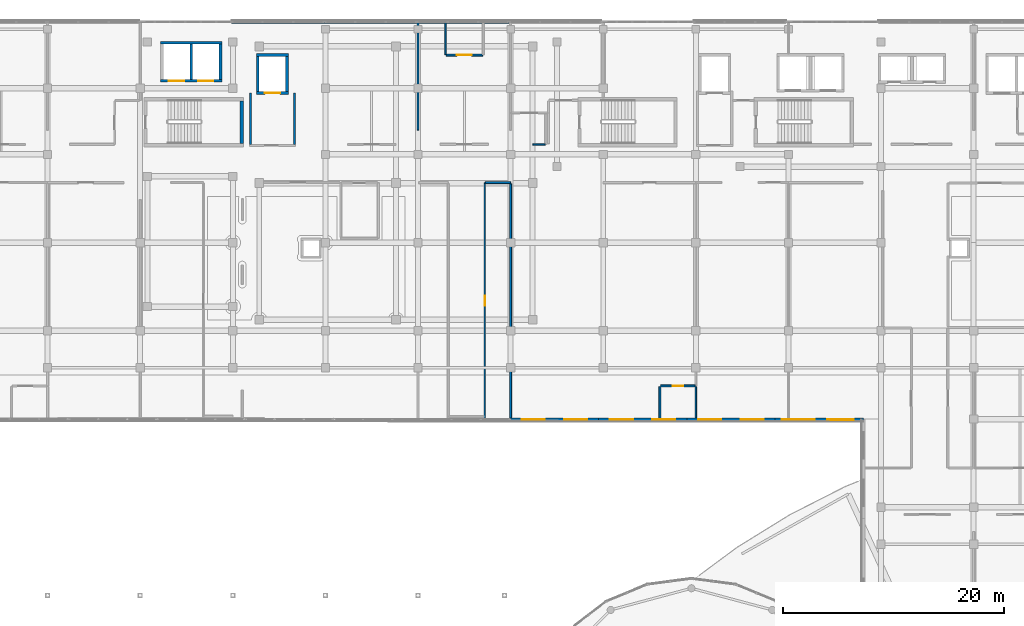
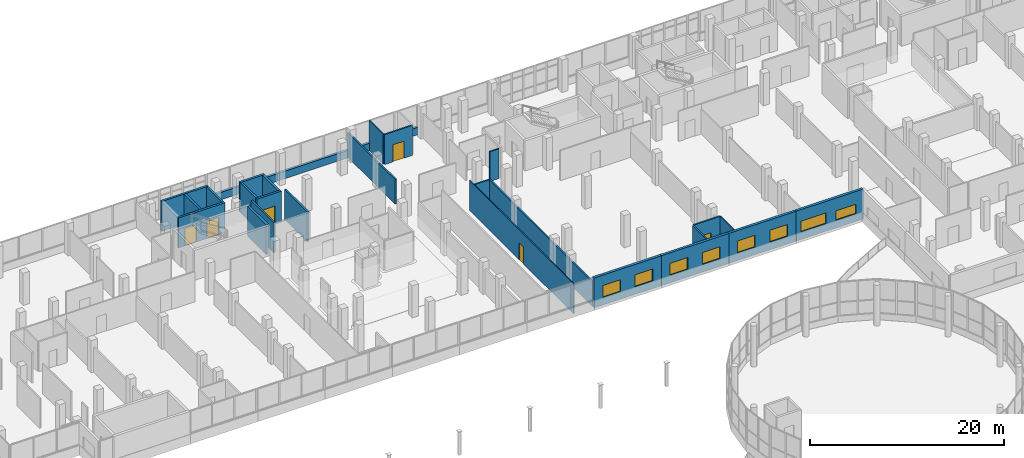
# One storey, part 86 of 101: 28 walls, 8 windows, 6 doors, 14 openings.
"""IFC4 building model written with IfcOpenShell, lengths in metres."""

import ifcopenshell
import ifcopenshell.guid

model = None  # the IFC model being written
_history = None  # IfcOwnerHistory: only IFC2X3 demands one
_inside = {}  # id of a spatial element -> (the spatial element, [elements in it])
_under = {}  # id of a project, library or spatial element -> (it, [spatial elements below it])
_declared = {}  # id of a project -> (the project, [libraries it declares])
_typed = {}  # id of a type object -> (the type object, [elements of that type])
_made_of = {}  # id of a material, layer set ... -> (it, [elements and type objects made of it])


def new_model(schema):
    """Start an empty IFC model of exactly this schema.

    Asked for "IFC4X3", IfcOpenShell would pick the latest addendum, in which some entities
    have other attributes; the version numbers below select the first issue.
    IFC2X3 requires an IfcOwnerHistory on every rooted entity: one is made here for all.
    """
    global model, _history
    if schema == "IFC4X3":
        model = ifcopenshell.file(schema_version=(4, 3, 0, 0))
    else:
        model = ifcopenshell.file(schema=schema)
    _inside.clear()
    _under.clear()
    _declared.clear()
    _typed.clear()
    _made_of.clear()
    _history = None
    if model.schema == "IFC2X3":
        org = make("IfcOrganization", Name="unknown")
        user = make(
            "IfcPersonAndOrganization",
            ThePerson=make("IfcPerson", FamilyName="unknown"),
            TheOrganization=org,
        )
        app = make(
            "IfcApplication",
            ApplicationDeveloper=org,
            Version="unknown",
            ApplicationFullName="unknown",
            ApplicationIdentifier="unknown",
        )
        _history = make(
            "IfcOwnerHistory",
            OwningUser=user,
            OwningApplication=app,
            ChangeAction="ADDED",
            CreationDate=0,
        )
    return model


def make(cls, **values):
    """One entity of the class cls with the attributes given. An attribute that is None is left unset."""
    return model.create_entity(
        cls, **{name: value for name, value in values.items() if value is not None}
    )


def rooted(cls, **values):
    """An entity with a GlobalId (a new one), such as an element, a storey or a relation."""
    return make(cls, GlobalId=ifcopenshell.guid.new(), OwnerHistory=_history, **values)


def si_unit(unit_type, name, prefix=None):
    """IfcSIUnit, for example si_unit("LENGTHUNIT", "METRE", prefix="MILLI")."""
    return make("IfcSIUnit", UnitType=unit_type, Prefix=prefix, Name=name)


def assignment(units):
    """IfcUnitAssignment: the units of a project."""
    return None if units is None else make("IfcUnitAssignment", Units=units)


def point(xyz):
    """IfcCartesianPoint."""
    return None if xyz is None else make("IfcCartesianPoint", Coordinates=xyz)


def direction(xyz):
    """IfcDirection."""
    return None if xyz is None else make("IfcDirection", DirectionRatios=xyz)


def frame(location, z_axis=None, x_axis=None):
    """IfcAxis2Placement3D, a coordinate frame: its origin and axes. An axis left out is left unset."""
    return make(
        "IfcAxis2Placement3D",
        Location=point(location),
        Axis=direction(z_axis),
        RefDirection=direction(x_axis),
    )


def frame_2d(location, x_axis=None):
    """IfcAxis2Placement2D, a coordinate frame in the plane: its origin and x axis."""
    return make(
        "IfcAxis2Placement2D", Location=point(location), RefDirection=direction(x_axis)
    )


def origin():
    """The frame at (0, 0, 0) with its axes left unset."""
    return frame((0.0, 0.0, 0.0))


def place(relative_to, where):
    """IfcLocalPlacement: puts the frame where relative to a parent placement (None: the world)."""
    return make(
        "IfcLocalPlacement", PlacementRelTo=relative_to, RelativePlacement=where
    )


def context(
    kind, dimensions, precision=None, world=None, true_north=None, identifier=None
):
    """IfcGeometricRepresentationContext, for example the 3D "Model" context."""
    return make(
        "IfcGeometricRepresentationContext",
        ContextIdentifier=identifier,
        ContextType=kind,
        CoordinateSpaceDimension=dimensions,
        Precision=precision,
        WorldCoordinateSystem=world,
        TrueNorth=true_north,
    )


def subcontext(parent, identifier, kind, view, scale=None):
    """IfcGeometricRepresentationSubContext, for example "Body" below "Model"."""
    return make(
        "IfcGeometricRepresentationSubContext",
        ContextIdentifier=identifier,
        ContextType=kind,
        ParentContext=parent,
        TargetScale=scale,
        TargetView=view,
    )


def project(units=None, contexts=None):
    """IfcProject with its units and contexts."""
    return rooted(
        "IfcProject",
        Name="project",
        RepresentationContexts=contexts,
        UnitsInContext=assignment(units),
    )


def spatial(cls, under=None, at=None, **own):
    """A site, building, storey or space (cls), placed at a placement, below another one or the project."""
    s = rooted(cls, ObjectPlacement=at, **own)
    if under is not None:
        _under.setdefault(under.id(), (under, []))[1].append(s)
    return s


def profile(cls, at=None, kind="AREA", **sizes):
    """A parametric profile (cls). Its sizes go by their IFC names, for example OverallWidth=200.0."""
    return make(cls, ProfileType=kind, Position=at, **sizes)


def rectangle(**sizes):
    """IfcRectangleProfileDef."""
    return profile("IfcRectangleProfileDef", **sizes)


def extrude(swept, where, along, depth):
    """IfcExtrudedAreaSolid: the profile swept, set in the frame where, extruded along a direction by depth."""
    return make(
        "IfcExtrudedAreaSolid",
        SweptArea=swept,
        Position=where,
        ExtrudedDirection=direction(along),
        Depth=depth,
    )


def shape(context_of_items, identifier, shape_type, items):
    """IfcShapeRepresentation: the items that make up one representation, for example the "Body"."""
    return make(
        "IfcShapeRepresentation",
        ContextOfItems=context_of_items,
        RepresentationIdentifier=identifier,
        RepresentationType=shape_type,
        Items=items,
    )


def material(Name=None, Category=None):
    """IfcMaterial."""
    return make("IfcMaterial", Name=Name, Category=Category)


def layer(
    of_material, thickness, ventilated=None, Name=None, Category=None, Priority=None
):
    """IfcMaterialLayer: one layer of a wall or slab, of a material (None: an air gap)."""
    return make(
        "IfcMaterialLayer",
        Material=of_material,
        LayerThickness=thickness,
        IsVentilated=ventilated,
        Name=Name,
        Category=Category,
        Priority=Priority,
    )


def layer_set(layers, Name=None):
    """IfcMaterialLayerSet."""
    return make("IfcMaterialLayerSet", MaterialLayers=layers, LayerSetName=Name)


def made_of(thing, what):
    """Note that an element or type object is made of a material, layer set ...; save() writes the relation."""
    if what is not None:
        _made_of.setdefault(what.id(), (what, []))[1].append(thing)
    return thing


def type_object(cls, material=None, **own):
    """A type object (cls), such as IfcWallType, which elements share."""
    return made_of(rooted(cls, **own), material)


def element(
    cls,
    number,
    at=None,
    inside=None,
    cuts=None,
    type_object=None,
    material=None,
    context=None,
    identifier="Body",
    shape_type=None,
    held_by="IfcProductDefinitionShape",
    body=None,
    shapes=None,
    **own,
):
    """One element of the class cls, such as IfcWall. Its Tag is "e" and its number.

    at: its placement. inside: the storey or other place that contains it. cuts: it is an
    opening in that element (IfcRelVoidsElement). A single representation is given by context,
    identifier, shape_type and body (its items); several are given by shapes. held_by: the class
    of the entity that holds the representations. save() writes the other relations.
    """
    e = rooted(cls, Tag="e%d" % number, ObjectPlacement=at, **own)
    if body is not None:
        shapes = [shape(context, identifier, shape_type, body)]
    if shapes is not None:
        e.Representation = make(held_by, Representations=shapes)
    if inside is not None:
        _inside.setdefault(inside.id(), (inside, []))[1].append(e)
    if cuts is not None:
        rooted(
            "IfcRelVoidsElement", RelatingBuildingElement=cuts, RelatedOpeningElement=e
        )
    if type_object is not None:
        _typed.setdefault(type_object.id(), (type_object, []))[1].append(e)
    return made_of(e, material)


def fill(opening, filler):
    """IfcRelFillsElement: the door or window that sits in an opening."""
    return rooted(
        "IfcRelFillsElement",
        RelatingOpeningElement=opening,
        RelatedBuildingElement=filler,
    )


def aggregate(whole, parts):
    """IfcRelAggregates: a whole, such as a stair, and the parts it consists of."""
    return rooted("IfcRelAggregates", RelatingObject=whole, RelatedObjects=parts)


def save(model, path):
    """Write the relations noted so far, then the file.

    IfcRelAggregates (storeys below a building ...), IfcRelContainedInSpatialStructure (elements
    in a storey), IfcRelDefinesByType, IfcRelAssociatesMaterial and IfcRelDeclares: one each for
    every whole, place, type object, material and project.
    """
    for whole, parts in _under.values():
        aggregate(whole, parts)
    for where, things in _inside.values():
        rooted(
            "IfcRelContainedInSpatialStructure",
            RelatedElements=things,
            RelatingStructure=where,
        )
    for kind, things in _typed.values():
        rooted("IfcRelDefinesByType", RelatedObjects=things, RelatingType=kind)
    for what, things in _made_of.values():
        rooted("IfcRelAssociatesMaterial", RelatedObjects=things, RelatingMaterial=what)
    for by, libraries in _declared.values():
        rooted("IfcRelDeclares", RelatingContext=by, RelatedDefinitions=libraries)
    model.write(path)


model = new_model("IFC4")

# Units and contexts
model_context = context("Model", 3, precision=1e-05, world=origin(), true_north=direction((0.0, 1.0)))
body_context = subcontext(model_context, "Body", "Model", "MODEL_VIEW")
ifc_project = project(units=[si_unit("LENGTHUNIT", "METRE"), si_unit("AREAUNIT", "SQUARE_METRE"), si_unit("VOLUMEUNIT", "CUBIC_METRE"), si_unit("PLANEANGLEUNIT", "RADIAN"), si_unit("MASSUNIT", "GRAM", prefix="KILO")], contexts=[model_context])

# Site, building, storey
site_placement = place(None, origin())
site = spatial("IfcSite", under=ifc_project, at=site_placement, CompositionType="ELEMENT")
building_placement = place(site_placement, origin())
building = spatial("IfcBuilding", under=site, at=building_placement, Name="Selatvlak General Hospital", CompositionType="ELEMENT")
storey_placement = place(building_placement, frame((0.0, 0.0, 19.199951171875)))
storey = spatial("IfcBuildingStorey", under=building, at=storey_placement, Name="L04", CompositionType="ELEMENT", Elevation=19.199951171875)

# Wall, openings, windows
ifc_material_1 = material(Name="Precast concrete C40/50 - white fair-faced", Category="concrete")
ifc_layer_1 = layer(ifc_material_1, 0.300048828125, Name="Precast concrete C40/50 - white fair-faced", Category="concrete")
ifc_layer_set_1 = layer_set([ifc_layer_1], Name="Precast concrete C40/50 - white fair-faced")
wall_type_1 = type_object("IfcWallType", Name="WALL-EW-01", PredefinedType="SOLIDWALL", material=ifc_layer_set_1)
wall_1_placement = place(storey_placement, frame((113.60009765625, 83.93994140625, 0.0), z_axis=(0.0, 0.0, 1.0), x_axis=(-0.999999795056, 0.000640224252, 0.0)))
wall_1 = element("IfcWall", 1, at=wall_1_placement, inside=storey, type_object=wall_type_1, Name="L04 exterior wall 0463", PredefinedType="SOLIDWALL", context=body_context, shape_type="SweptSolid", body=[
    extrude(rectangle(XDim=8.008056640625, YDim=0.300048828125, at=frame_2d((4.00390625, 0.0))), origin(), (0.0, 0.0, 1.0), 3.77001953125),
])
opening_1_placement = place(wall_1_placement, frame((0.882080078125, 0.0, 0.9599609375)))
opening_1 = element("IfcOpeningElement", 2, at=opening_1_placement, cuts=wall_1, Name="Opening WN-29", PredefinedType="OPENING", context=body_context, shape_type="SweptSolid", body=[
    extrude(rectangle(XDim=2.39990234375, YDim=1.199951171875, at=frame_2d((1.199951171875, 0.60009765625))), frame((0.0, 0.159912109375, 0.0), z_axis=(0.0, -1.0, 0.0), x_axis=(1.0, 0.0, 0.0)), (0.0, 0.0, 1.0), 0.320068359375),
])
opening_2_placement = place(wall_1_placement, frame((4.426025390625, 0.0, 0.9599609375)))
opening_2 = element("IfcOpeningElement", 3, at=opening_2_placement, cuts=wall_1, Name="Opening WN-30", PredefinedType="OPENING", context=body_context, shape_type="SweptSolid", body=[
    extrude(rectangle(XDim=3.0, YDim=1.35009765625, at=frame_2d((1.5, 0.675048828125))), frame((0.0, 0.159912109375, 0.0), z_axis=(0.0, -1.0, 0.0), x_axis=(1.0, 0.0, 0.0)), (0.0, 0.0, 1.0), 0.320068359375),
])
ifc_material_2 = material(Name="Thermally broken aluminium Low-E window", Category="aluminium")
window_type_1 = type_object("IfcWindowType", Name="WIN-WN-29", PartitioningType="SINGLE_PANEL", PredefinedType="WINDOW", material=ifc_material_2)
window_1_placement = place(opening_1_placement, origin())
window_1 = element("IfcWindow", 4, at=window_1_placement, inside=storey, type_object=window_type_1, Name="L04 Bauhaus ribbon window 0088", OverallHeight=1.199951171875, OverallWidth=2.39990234375, PartitioningType="SINGLE_PANEL", PredefinedType="WINDOW", context=body_context, shape_type="SweptSolid", body=[
    extrude(rectangle(XDim=2.39990234375, YDim=1.199951171875, at=frame_2d((1.199951171875, 0.60009765625))), frame((0.0, 0.030029296875, 0.0), z_axis=(0.0, -1.0, 0.0), x_axis=(1.0, 0.0, 0.0)), (0.0, 0.0, 1.0), 0.06005859375),
])
fill(opening_1, window_1)
window_type_2 = type_object("IfcWindowType", Name="WIN-WN-30", PartitioningType="SINGLE_PANEL", PredefinedType="WINDOW", material=ifc_material_2)
window_2_placement = place(opening_2_placement, origin())
window_2 = element("IfcWindow", 5, at=window_2_placement, inside=storey, type_object=window_type_2, Name="L04 Bauhaus ribbon window 0089", OverallHeight=1.35009765625, OverallWidth=3.0, PartitioningType="SINGLE_PANEL", PredefinedType="WINDOW", context=body_context, shape_type="SweptSolid", body=[
    extrude(rectangle(XDim=3.0, YDim=1.35009765625, at=frame_2d((1.5, 0.675048828125))), frame((0.0, 0.030029296875, 0.0), z_axis=(0.0, -1.0, 0.0), x_axis=(1.0, 0.0, 0.0)), (0.0, 0.0, 1.0), 0.06005859375),
])
fill(opening_2, window_2)

wall_2_placement = place(storey_placement, frame((105.592041015625, 83.945068359375, 0.0), z_axis=(0.0, 0.0, 1.0), x_axis=(-0.999999732319, 0.000731684814, 0.0)))
wall_2 = element("IfcWall", 6, at=wall_2_placement, inside=storey, type_object=wall_type_1, Name="L04 exterior wall 0464", PredefinedType="SOLIDWALL", context=body_context, shape_type="SweptSolid", body=[
    extrude(rectangle(XDim=8.008056640625, YDim=0.300048828125, at=frame_2d((4.00390625, 0.0))), origin(), (0.0, 0.0, 1.0), 3.77001953125),
])
opening_3_placement = place(wall_2_placement, frame((1.031982421875, 0.0, 0.9599609375)))
opening_3 = element("IfcOpeningElement", 7, at=opening_3_placement, cuts=wall_2, Name="Opening WN-06", PredefinedType="OPENING", context=body_context, shape_type="SweptSolid", body=[
    extrude(rectangle(XDim=2.10009765625, YDim=1.5, at=frame_2d((1.050048828125, 0.75))), frame((0.0, 0.159912109375, 0.0), z_axis=(0.0, -1.0, 0.0), x_axis=(1.0, 0.0, 0.0)), (0.0, 0.0, 1.0), 0.320068359375),
])
opening_4_placement = place(wall_2_placement, frame((4.8759765625, 0.0, 0.9599609375)))
opening_4 = element("IfcOpeningElement", 8, at=opening_4_placement, cuts=wall_2, Name="Opening WN-06", PredefinedType="OPENING", context=body_context, shape_type="SweptSolid", body=[
    extrude(rectangle(XDim=2.10009765625, YDim=1.5, at=frame_2d((1.050048828125, 0.75))), frame((0.0, 0.159912109375, 0.0), z_axis=(0.0, -1.0, 0.0), x_axis=(1.0, 0.0, 0.0)), (0.0, 0.0, 1.0), 0.320068359375),
])
window_type_3 = type_object("IfcWindowType", Name="WIN-WN-06", PartitioningType="SINGLE_PANEL", PredefinedType="WINDOW", material=ifc_material_2)
window_3_placement = place(opening_3_placement, origin())
window_3 = element("IfcWindow", 9, at=window_3_placement, inside=storey, type_object=window_type_3, Name="L04 Bauhaus ribbon window 0090", OverallHeight=1.5, OverallWidth=2.10009765625, PartitioningType="SINGLE_PANEL", PredefinedType="WINDOW", context=body_context, shape_type="SweptSolid", body=[
    extrude(rectangle(XDim=2.10009765625, YDim=1.5, at=frame_2d((1.050048828125, 0.75))), frame((0.0, 0.030029296875, 0.0), z_axis=(0.0, -1.0, 0.0), x_axis=(1.0, 0.0, 0.0)), (0.0, 0.0, 1.0), 0.06005859375),
])
fill(opening_3, window_3)
window_4_placement = place(opening_4_placement, origin())
window_4 = element("IfcWindow", 10, at=window_4_placement, inside=storey, type_object=window_type_3, Name="L04 Bauhaus ribbon window 0091", OverallHeight=1.5, OverallWidth=2.10009765625, PartitioningType="SINGLE_PANEL", PredefinedType="WINDOW", context=body_context, shape_type="SweptSolid", body=[
    extrude(rectangle(XDim=2.10009765625, YDim=1.5, at=frame_2d((1.050048828125, 0.75))), frame((0.0, 0.030029296875, 0.0), z_axis=(0.0, -1.0, 0.0), x_axis=(1.0, 0.0, 0.0)), (0.0, 0.0, 1.0), 0.06005859375),
])
fill(opening_4, window_4)

wall_3_placement = place(storey_placement, frame((97.583984375, 83.950927734375, 0.0), z_axis=(0.0, 0.0, 1.0), x_axis=(-0.999999795056, 0.000640224252, 0.0)))
wall_3 = element("IfcWall", 11, at=wall_3_placement, inside=storey, type_object=wall_type_1, Name="L04 exterior wall 0465", PredefinedType="SOLIDWALL", context=body_context, shape_type="SweptSolid", body=[
    extrude(rectangle(XDim=8.008056640625, YDim=0.300048828125, at=frame_2d((4.00390625, 0.0))), origin(), (0.0, 0.0, 1.0), 3.77001953125),
])
opening_5_placement = place(wall_3_placement, frame((1.031982421875, 0.0, 0.9599609375)))
opening_5 = element("IfcOpeningElement", 12, at=opening_5_placement, cuts=wall_3, Name="Opening WN-06", PredefinedType="OPENING", context=body_context, shape_type="SweptSolid", body=[
    extrude(rectangle(XDim=2.10009765625, YDim=1.5, at=frame_2d((1.050048828125, 0.75))), frame((0.0, 0.159912109375, 0.0), z_axis=(0.0, -1.0, 0.0), x_axis=(1.0, 0.0, 0.0)), (0.0, 0.0, 1.0), 0.320068359375),
])
opening_6_placement = place(wall_3_placement, frame((4.8759765625, 0.0, 0.9599609375)))
opening_6 = element("IfcOpeningElement", 13, at=opening_6_placement, cuts=wall_3, Name="Opening WN-06", PredefinedType="OPENING", context=body_context, shape_type="SweptSolid", body=[
    extrude(rectangle(XDim=2.10009765625, YDim=1.5, at=frame_2d((1.050048828125, 0.75))), frame((0.0, 0.159912109375, 0.0), z_axis=(0.0, -1.0, 0.0), x_axis=(1.0, 0.0, 0.0)), (0.0, 0.0, 1.0), 0.320068359375),
])
window_5_placement = place(opening_5_placement, origin())
window_5 = element("IfcWindow", 14, at=window_5_placement, inside=storey, type_object=window_type_3, Name="L04 Bauhaus ribbon window 0092", OverallHeight=1.5, OverallWidth=2.10009765625, PartitioningType="SINGLE_PANEL", PredefinedType="WINDOW", context=body_context, shape_type="SweptSolid", body=[
    extrude(rectangle(XDim=2.10009765625, YDim=1.5, at=frame_2d((1.050048828125, 0.75))), frame((0.0, 0.030029296875, 0.0), z_axis=(0.0, -1.0, 0.0), x_axis=(1.0, 0.0, 0.0)), (0.0, 0.0, 1.0), 0.06005859375),
])
fill(opening_5, window_5)
window_6_placement = place(opening_6_placement, origin())
window_6 = element("IfcWindow", 15, at=window_6_placement, inside=storey, type_object=window_type_3, Name="L04 Bauhaus ribbon window 0093", OverallHeight=1.5, OverallWidth=2.10009765625, PartitioningType="SINGLE_PANEL", PredefinedType="WINDOW", context=body_context, shape_type="SweptSolid", body=[
    extrude(rectangle(XDim=2.10009765625, YDim=1.5, at=frame_2d((1.050048828125, 0.75))), frame((0.0, 0.030029296875, 0.0), z_axis=(0.0, -1.0, 0.0), x_axis=(1.0, 0.0, 0.0)), (0.0, 0.0, 1.0), 0.06005859375),
])
fill(opening_6, window_6)

wall_4_placement = place(storey_placement, frame((89.575927734375, 83.9560546875, 0.0), z_axis=(0.0, 0.0, 1.0), x_axis=(-0.999999814099, 0.000609755984, 0.0)))
wall_4 = element("IfcWall", 16, at=wall_4_placement, inside=storey, type_object=wall_type_1, Name="L04 exterior wall 0466", PredefinedType="SOLIDWALL", context=body_context, shape_type="SweptSolid", body=[
    extrude(rectangle(XDim=8.0078125, YDim=0.300048828125, at=frame_2d((4.00390625, 0.0))), origin(), (0.0, 0.0, 1.0), 3.77001953125),
])
opening_7_placement = place(wall_4_placement, frame((1.031982421875, 0.0, 0.9599609375)))
opening_7 = element("IfcOpeningElement", 17, at=opening_7_placement, cuts=wall_4, Name="Opening WN-06", PredefinedType="OPENING", context=body_context, shape_type="SweptSolid", body=[
    extrude(rectangle(XDim=2.10009765625, YDim=1.5, at=frame_2d((1.050048828125, 0.75))), frame((0.0, 0.159912109375, 0.0), z_axis=(0.0, -1.0, 0.0), x_axis=(1.0, 0.0, 0.0)), (0.0, 0.0, 1.0), 0.320068359375),
])
opening_8_placement = place(wall_4_placement, frame((4.8759765625, 0.0, 0.9599609375)))
opening_8 = element("IfcOpeningElement", 18, at=opening_8_placement, cuts=wall_4, Name="Opening WN-06", PredefinedType="OPENING", context=body_context, shape_type="SweptSolid", body=[
    extrude(rectangle(XDim=2.10009765625, YDim=1.5, at=frame_2d((1.050048828125, 0.75))), frame((0.0, 0.159912109375, 0.0), z_axis=(0.0, -1.0, 0.0), x_axis=(1.0, 0.0, 0.0)), (0.0, 0.0, 1.0), 0.320068359375),
])
window_7_placement = place(opening_7_placement, origin())
window_7 = element("IfcWindow", 19, at=window_7_placement, inside=storey, type_object=window_type_3, Name="L04 Bauhaus ribbon window 0094", OverallHeight=1.5, OverallWidth=2.10009765625, PartitioningType="SINGLE_PANEL", PredefinedType="WINDOW", context=body_context, shape_type="SweptSolid", body=[
    extrude(rectangle(XDim=2.10009765625, YDim=1.5, at=frame_2d((1.050048828125, 0.75))), frame((0.0, 0.030029296875, 0.0), z_axis=(0.0, -1.0, 0.0), x_axis=(1.0, 0.0, 0.0)), (0.0, 0.0, 1.0), 0.06005859375),
])
fill(opening_7, window_7)
window_8_placement = place(opening_8_placement, origin())
window_8 = element("IfcWindow", 20, at=window_8_placement, inside=storey, type_object=window_type_3, Name="L04 Bauhaus ribbon window 0095", OverallHeight=1.5, OverallWidth=2.10009765625, PartitioningType="SINGLE_PANEL", PredefinedType="WINDOW", context=body_context, shape_type="SweptSolid", body=[
    extrude(rectangle(XDim=2.10009765625, YDim=1.5, at=frame_2d((1.050048828125, 0.75))), frame((0.0, 0.030029296875, 0.0), z_axis=(0.0, -1.0, 0.0), x_axis=(1.0, 0.0, 0.0)), (0.0, 0.0, 1.0), 0.06005859375),
])
fill(opening_8, window_8)

# Walls
ifc_material_3 = material(Name="Precast concrete C40/50 - white Bauhaus spandrel", Category="concrete")
ifc_layer_2 = layer(ifc_material_3, 0.280029296875, Name="Precast concrete C40/50 - white Bauhaus spandrel", Category="concrete")
ifc_layer_set_2 = layer_set([ifc_layer_2], Name="Precast concrete C40/50 - white Bauhaus spandrel")
wall_type_2 = type_object("IfcWallType", Name="WALL-EW-02", PredefinedType="SOLIDWALL", material=ifc_layer_set_2)
wall_5_placement = place(storey_placement, frame((56.302001953125, 119.9990234375, 0.0), z_axis=(0.0, 0.0, 1.0), x_axis=(1.0, 0.0, 0.0)))
element("IfcWall", 21, at=wall_5_placement, inside=storey, type_object=wall_type_2, Name="L04 Bauhaus spandrel sill wall 0434", PredefinedType="SOLIDWALL", context=body_context, shape_type="SweptSolid", body=[
    extrude(rectangle(XDim=8.3759765625, YDim=0.280029296875, at=frame_2d((4.18798828125, 0.0))), origin(), (0.0, 0.0, 1.0), 0.93994140625),
])
wall_6_placement = place(storey_placement, frame((64.681884765625, 119.9990234375, 0.0), z_axis=(0.0, 0.0, 1.0), x_axis=(1.0, 0.0, 0.0)))
element("IfcWall", 22, at=wall_6_placement, inside=storey, type_object=wall_type_2, Name="L04 Bauhaus spandrel sill wall 0435", PredefinedType="SOLIDWALL", context=body_context, shape_type="SweptSolid", body=[
    extrude(rectangle(XDim=8.376220703125, YDim=0.280029296875, at=frame_2d((4.18798828125, 0.0))), origin(), (0.0, 0.0, 1.0), 0.93994140625),
])
wall_7_placement = place(storey_placement, frame((73.06201171875, 119.9990234375, 0.0), z_axis=(0.0, 0.0, 1.0), x_axis=(1.0, 0.0, 0.0)))
element("IfcWall", 23, at=wall_7_placement, inside=storey, type_object=wall_type_2, Name="L04 Bauhaus spandrel sill wall 0436", PredefinedType="SOLIDWALL", context=body_context, shape_type="SweptSolid", body=[
    extrude(rectangle(XDim=8.3759765625, YDim=0.280029296875, at=frame_2d((4.18798828125, 0.0))), origin(), (0.0, 0.0, 1.0), 0.93994140625),
])
ifc_material_4 = material(Name="Concrete C40/50", Category="concrete")
ifc_layer_3 = layer(ifc_material_4, 0.199951171875, Name="Concrete C40/50", Category="concrete")
ifc_layer_set_3 = layer_set([ifc_layer_3], Name="Concrete C40/50")
wall_type_3 = type_object("IfcWallType", Name="WALL-IW-02", PredefinedType="SOLIDWALL", material=ifc_layer_set_3)
for number, where, z_axis, x_axis, name in (
    (24, (62.0, 108.89990234375, 0.0), (0.0, 0.0, 1.0), (0.0, 1.0, 0.0), "Firefighting lobby C1 wall L04 E"),
    (25, (58.0, 113.550048828125, 0.0), (0.0, 0.0, 1.0), (0.0, -1.0, 0.0), "Firefighting lobby C1 wall L04 W"),
):
    element("IfcWall", number, at=place(storey_placement, frame(where, z_axis=z_axis, x_axis=x_axis)), inside=storey, type_object=wall_type_3, Name=name, PredefinedType="SOLIDWALL", context=body_context, shape_type="SweptSolid", body=[
        extrude(rectangle(XDim=4.650146484375, YDim=0.199951171875, at=frame_2d((2.3251953125, 0.0))), origin(), (0.0, 0.0, 1.0), 3.77001953125),
    ])
ifc_material_5 = material(Name="Acoustic gypsum stud partition")
ifc_layer_4 = layer(ifc_material_5, 0.179931640625, Name="Acoustic gypsum stud partition")
ifc_layer_set_4 = layer_set([ifc_layer_4], Name="Acoustic gypsum stud partition")
wall_type_4 = type_object("IfcWallType", Name="WALL-PT-01", PredefinedType="PARTITIONING", material=ifc_layer_set_4)
wall_8_placement = place(storey_placement, frame((79.31591796875, 105.43994140625, 0.0), z_axis=(0.0, 0.0, 1.0), x_axis=(1.0, 0.0, 0.0)))
element("IfcWall", 26, at=wall_8_placement, inside=storey, type_object=wall_type_4, Name="L04 clinical partition PT-L04-1725", PredefinedType="PARTITIONING", context=body_context, shape_type="SweptSolid", body=[
    extrude(rectangle(XDim=2.2841796875, YDim=0.179931640625, at=frame_2d((1.14208984375, 0.0))), origin(), (0.0, 0.0, 1.0), 3.070068359375),
])

# Wall, opening, door
wall_9_placement = place(storey_placement, frame((98.3369140625, 87.0, 0.0), z_axis=(0.0, 0.0, 1.0), x_axis=(-1.0, 0.0, 0.0)))
wall_9 = element("IfcWall", 27, at=wall_9_placement, inside=storey, type_object=wall_type_4, Name="L04 clinical partition PT-L04-1734", PredefinedType="PARTITIONING", context=body_context, shape_type="SweptSolid", body=[
    extrude(rectangle(XDim=3.136962890625, YDim=0.179931640625, at=frame_2d((1.568359375, 0.0))), origin(), (0.0, 0.0, 1.0), 3.77001953125),
])
opening_9_placement = place(wall_9_placement, frame((1.093994140625, 0.0, 0.0)))
opening_9 = element("IfcOpeningElement", 28, at=opening_9_placement, cuts=wall_9, Name="Opening D-02", PredefinedType="OPENING", context=body_context, shape_type="SweptSolid", body=[
    extrude(rectangle(XDim=0.949951171875, YDim=2.10009765625, at=frame_2d((0.47509765625, 1.050048828125))), frame((0.0, 0.099853515625, 0.0), z_axis=(0.0, -1.0, 0.0), x_axis=(1.0, 0.0, 0.0)), (0.0, 0.0, 1.0), 0.199951171875),
])
ifc_material_6 = material(Name="Moisture-resistant en-suite door")
door_type_1 = type_object("IfcDoorType", Name="DOOR-D-02", OperationType="NOTDEFINED", PredefinedType="DOOR", material=ifc_material_6)
door_1_placement = place(opening_9_placement, origin())
door_1 = element("IfcDoor", 29, at=door_1_placement, inside=storey, type_object=door_type_1, Name="L04 Patient En-Suite WC 15 door", OperationType="SINGLE_SWING_LEFT", OverallHeight=2.10009765625, OverallWidth=0.949951171875, PredefinedType="DOOR", context=body_context, shape_type="SweptSolid", body=[
    extrude(rectangle(XDim=0.949951171875, YDim=2.10009765625, at=frame_2d((0.47509765625, 1.050048828125))), frame((0.0, 0.02490234375, 0.0), z_axis=(0.0, -1.0, 0.0), x_axis=(1.0, 0.0, 0.0)), (0.0, 0.0, 1.0), 0.050048828125),
])
fill(opening_9, door_1)

# Wall
wall_10_placement = place(storey_placement, frame((73.199951171875, 119.95703125, 0.0), z_axis=(0.0, 0.0, 1.0), x_axis=(0.0, -1.0, 0.0)))
element("IfcWall", 30, at=wall_10_placement, inside=storey, type_object=wall_type_4, Name="L04 clinical partition PT-L04-1800", PredefinedType="PARTITIONING", context=body_context, shape_type="SweptSolid", body=[
    extrude(rectangle(XDim=9.7470703125, YDim=0.179931640625, at=frame_2d((4.87353515625, 0.0))), origin(), (0.0, 0.0, 1.0), 3.1201171875),
])

# Wall, opening, door
wall_11_placement = place(storey_placement, frame((75.75, 117.0, 0.0), z_axis=(0.0, 0.0, 1.0), x_axis=(1.0, 0.0, 0.0)))
wall_11 = element("IfcWall", 31, at=wall_11_placement, inside=storey, type_object=wall_type_4, Name="L04 clinical partition PT-L04-1803", PredefinedType="PARTITIONING", context=body_context, shape_type="SweptSolid", body=[
    extrude(rectangle(XDim=3.300048828125, YDim=0.179931640625, at=frame_2d((1.64990234375, 0.0))), origin(), (0.0, 0.0, 1.0), 3.77001953125),
])
opening_10_placement = place(wall_11_placement, frame((0.97509765625, 0.0, 0.0)))
opening_10 = element("IfcOpeningElement", 32, at=opening_10_placement, cuts=wall_11, Name="Opening D-10", PredefinedType="OPENING", context=body_context, shape_type="SweptSolid", body=[
    extrude(rectangle(XDim=1.35009765625, YDim=2.14990234375, at=frame_2d((0.675048828125, 1.074951171875))), frame((0.0, 0.099853515625, 0.0), z_axis=(0.0, -1.0, 0.0), x_axis=(1.0, 0.0, 0.0)), (0.0, 0.0, 1.0), 0.199951171875),
])
ifc_material_7 = material(Name="Single patient bed door")
door_type_2 = type_object("IfcDoorType", Name="DOOR-D-10", OperationType="NOTDEFINED", PredefinedType="DOOR", material=ifc_material_7)
door_2_placement = place(opening_10_placement, origin())
door_2 = element("IfcDoor", 33, at=door_2_placement, inside=storey, type_object=door_type_2, Name="L04 Patient En-Suite WC 32 door", OperationType="SINGLE_SWING_RIGHT", OverallHeight=2.14990234375, OverallWidth=1.35009765625, PredefinedType="DOOR", context=body_context, shape_type="SweptSolid", body=[
    extrude(rectangle(XDim=1.35009765625, YDim=2.14990234375, at=frame_2d((0.675048828125, 1.074951171875))), frame((0.0, 0.02490234375, 0.0), z_axis=(0.0, -1.0, 0.0), x_axis=(1.0, 0.0, 0.0)), (0.0, 0.0, 1.0), 0.050048828125),
])
fill(opening_10, door_2)

# Walls
ifc_layer_5 = layer(ifc_material_5, 0.1650390625, Name="Acoustic gypsum stud partition")
ifc_layer_set_5 = layer_set([ifc_layer_5], Name="Acoustic gypsum stud partition")
wall_type_5 = type_object("IfcWallType", Name="WALL-PT-02", PredefinedType="PARTITIONING", material=ifc_layer_set_5)
wall_12_placement = place(storey_placement, frame((81.60009765625, 105.35400390625, 0.0), z_axis=(0.0, 0.0, 1.0), x_axis=(0.0, -1.0, 0.0)))
element("IfcWall", 34, at=wall_12_placement, inside=storey, type_object=wall_type_5, Name="L04 clinical partition PT-L04-1726", PredefinedType="PARTITIONING", context=body_context, shape_type="SweptSolid", body=[
    extrude(rectangle(XDim=21.24609375, YDim=0.1650390625, at=frame_2d((10.623046875, 0.0))), origin(), (0.0, 0.0, 1.0), 3.1201171875),
])
wall_13_placement = place(storey_placement, frame((95.139892578125, 86.93994140625, 0.0), z_axis=(0.0, 0.0, 1.0), x_axis=(0.0, -1.0, 0.0)))
element("IfcWall", 35, at=wall_13_placement, inside=storey, type_object=wall_type_5, Name="L04 clinical partition PT-L04-1735", PredefinedType="PARTITIONING", context=body_context, shape_type="SweptSolid", body=[
    extrude(rectangle(XDim=2.83984375, YDim=0.1650390625, at=frame_2d((1.419921875, 0.0))), origin(), (0.0, 0.0, 1.0), 3.77001953125),
])
ifc_material_8 = material(Name="Moisture-resistant clinical partition")
ifc_layer_6 = layer(ifc_material_8, 0.135009765625, Name="Moisture-resistant clinical partition")
ifc_layer_set_6 = layer_set([ifc_layer_6], Name="Moisture-resistant clinical partition")
wall_type_6 = type_object("IfcWallType", Name="WALL-PT-04", PredefinedType="PARTITIONING", material=ifc_layer_set_6)
wall_14_placement = place(storey_placement, frame((98.39990234375, 86.93994140625, 0.0), z_axis=(0.0, 0.0, 1.0), x_axis=(0.0, -1.0, 0.0)))
element("IfcWall", 36, at=wall_14_placement, inside=storey, type_object=wall_type_6, Name="L04 clinical partition PT-L04-1736", PredefinedType="PARTITIONING", context=body_context, shape_type="SweptSolid", body=[
    extrude(rectangle(XDim=2.843017578125, YDim=0.135009765625, at=frame_2d((1.42138671875, 0.0))), origin(), (0.0, 0.0, 1.0), 3.77001953125),
])
wall_15_placement = place(storey_placement, frame((75.68994140625, 119.95703125, 0.0), z_axis=(0.0, 0.0, 1.0), x_axis=(0.0, -1.0, 0.0)))
element("IfcWall", 37, at=wall_15_placement, inside=storey, type_object=wall_type_6, Name="L04 clinical partition PT-L04-1802", PredefinedType="PARTITIONING", context=body_context, shape_type="SweptSolid", body=[
    extrude(rectangle(XDim=2.89697265625, YDim=0.135009765625, at=frame_2d((1.448486328125, 0.0))), origin(), (0.0, 0.0, 1.0), 3.77001953125),
])
wall_16_placement = place(storey_placement, frame((84.720947265625, 108.909912109375, 0.0), z_axis=(0.0, 0.0, 1.0), x_axis=(-1.0, 0.0, 0.0)))
element("IfcWall", 38, at=wall_16_placement, inside=storey, type_object=wall_type_6, Name="L04 clinical partition PT-L04-1811", PredefinedType="PARTITIONING", context=body_context, shape_type="SweptSolid", body=[
    extrude(rectangle(XDim=1.10986328125, YDim=0.135009765625, at=frame_2d((0.554931640625, 0.0))), origin(), (0.0, 0.0, 1.0), 3.77001953125),
])

# Wall, opening, door
ifc_layer_7 = layer(ifc_material_8, 0.1201171875, Name="Moisture-resistant clinical partition")
ifc_layer_set_7 = layer_set([ifc_layer_7], Name="Moisture-resistant clinical partition")
wall_type_7 = type_object("IfcWallType", Name="WALL-PT-05", PredefinedType="PARTITIONING", material=ifc_layer_set_7)
wall_17_placement = place(storey_placement, frame((79.260009765625, 84.010009765625, 0.0), z_axis=(0.0, 0.0, 1.0), x_axis=(0.0, 1.0, 0.0)))
wall_17 = element("IfcWall", 39, at=wall_17_placement, inside=storey, type_object=wall_type_7, Name="L04 clinical partition PT-L04-1724", PredefinedType="PARTITIONING", context=body_context, shape_type="SweptSolid", body=[
    extrude(rectangle(XDim=21.429931640625, YDim=0.1201171875, at=frame_2d((10.71484375, 0.0))), origin(), (0.0, 0.0, 1.0), 3.77001953125),
])
opening_11_placement = place(wall_17_placement, frame((10.264892578125, 0.0, 0.0)))
opening_11 = element("IfcOpeningElement", 40, at=opening_11_placement, cuts=wall_17, Name="Opening D-01", PredefinedType="OPENING", context=body_context, shape_type="SweptSolid", body=[
    extrude(rectangle(XDim=0.89990234375, YDim=2.10009765625, at=frame_2d((0.449951171875, 1.050048828125))), frame((0.0, 0.070068359375, 0.0), z_axis=(0.0, -1.0, 0.0), x_axis=(1.0, 0.0, 0.0)), (0.0, 0.0, 1.0), 0.14013671875),
])
ifc_material_9 = material(Name="Hardwood clinical room door", Category="wood")
door_type_3 = type_object("IfcDoorType", Name="DOOR-D-01", OperationType="NOTDEFINED", PredefinedType="DOOR", material=ifc_material_9)
door_3_placement = place(opening_11_placement, origin())
door_3 = element("IfcDoor", 41, at=door_3_placement, inside=storey, type_object=door_type_3, Name="L04 Paediatric Inpatient Ward Bay 13 door", OperationType="SINGLE_SWING_LEFT", OverallHeight=2.10009765625, OverallWidth=0.89990234375, PredefinedType="DOOR", context=body_context, shape_type="SweptSolid", body=[
    extrude(rectangle(XDim=0.89990234375, YDim=2.10009765625, at=frame_2d((0.449951171875, 1.050048828125))), frame((0.0, 0.02490234375, 0.0), z_axis=(0.0, -1.0, 0.0), x_axis=(1.0, 0.0, 0.0)), (0.0, 0.0, 1.0), 0.050048828125),
])
fill(opening_11, door_3)

# Wall
ifc_material_10 = material(Name="Concrete C45/55", Category="concrete")
ifc_layer_8 = layer(ifc_material_10, 0.300048828125, Name="Concrete C45/55", Category="concrete")
ifc_layer_set_8 = layer_set([ifc_layer_8], Name="Concrete C45/55")
wall_type_8 = type_object("IfcWallType", Name="WALL-SW-02", PredefinedType="SHEAR", material=ifc_layer_set_8)
wall_18_placement = place(storey_placement, frame((57.2099609375, 108.989990234375, 0.0), z_axis=(0.0, 0.0, 1.0), x_axis=(0.0, 1.0, 0.0)))
element("IfcWall", 42, at=wall_18_placement, inside=storey, type_object=wall_type_8, Name="ST-01 core shear wall L04 E", PredefinedType="SHEAR", context=body_context, shape_type="SweptSolid", body=[
    extrude(rectangle(XDim=3.860107421875, YDim=0.300048828125, at=frame_2d((1.93017578125, 0.0))), origin(), (0.0, 0.0, 1.0), 3.77001953125),
])

# Wall, opening, door
ifc_layer_9 = layer(ifc_material_4, 0.25, Name="Concrete C40/50", Category="concrete")
ifc_layer_set_9 = layer_set([ifc_layer_9], Name="Concrete C40/50")
wall_type_9 = type_object("IfcWallType", Name="WALL-SW-03", PredefinedType="SHEAR", material=ifc_layer_set_9)
wall_19_placement = place(storey_placement, frame((58.550048828125, 113.574951171875, 0.0), z_axis=(0.0, 0.0, 1.0), x_axis=(1.0, 0.0, 0.0)))
wall_19 = element("IfcWall", 43, at=wall_19_placement, inside=storey, type_object=wall_type_9, Name="Lift LF-01 shaft wall L04 S", PredefinedType="SHEAR", context=body_context, shape_type="SweptSolid", body=[
    extrude(rectangle(XDim=2.89990234375, YDim=0.25, at=frame_2d((1.449951171875, 0.0))), origin(), (0.0, 0.0, 1.0), 3.77001953125),
])
opening_12_placement = place(wall_19_placement, frame((0.75, 0.0, 0.0)))
opening_12 = element("IfcOpeningElement", 44, at=opening_12_placement, cuts=wall_19, Name="Opening LD-F1", PredefinedType="OPENING", context=body_context, shape_type="SweptSolid", body=[
    extrude(rectangle(XDim=1.39990234375, YDim=2.14990234375, at=frame_2d((0.699951171875, 1.074951171875))), frame((0.0, 0.135009765625, 0.0), z_axis=(0.0, -1.0, 0.0), x_axis=(1.0, 0.0, 0.0)), (0.0, 0.0, 1.0), 0.27001953125),
])
ifc_material_11 = material(Name="Stainless steel fire lift landing door", Category="steel")
door_type_4 = type_object("IfcDoorType", Name="DOOR-LD-F1", OperationType="DOUBLE_DOOR_SLIDING", PredefinedType="DOOR", material=ifc_material_11)
door_4_placement = place(opening_12_placement, origin())
door_4 = element("IfcDoor", 45, at=door_4_placement, inside=storey, type_object=door_type_4, Name="Lift LF-01 sliding landing door on L04", OperationType="DOUBLE_DOOR_SLIDING", OverallHeight=2.14990234375, OverallWidth=1.39990234375, PredefinedType="DOOR", context=body_context, shape_type="SweptSolid", body=[
    extrude(rectangle(XDim=1.39990234375, YDim=2.14990234375, at=frame_2d((0.699951171875, 1.074951171875))), frame((0.0, 0.02490234375, 0.0), z_axis=(0.0, -1.0, 0.0), x_axis=(1.0, 0.0, 0.0)), (0.0, 0.0, 1.0), 0.050048828125),
])
fill(opening_12, door_4)

# Walls
wall_20_placement = place(storey_placement, frame((61.324951171875, 113.699951171875, 0.0), z_axis=(0.0, 0.0, 1.0), x_axis=(0.0, 1.0, 0.0)))
element("IfcWall", 46, at=wall_20_placement, inside=storey, type_object=wall_type_9, Name="Lift LF-01 shaft wall L04 E", PredefinedType="SHEAR", context=body_context, shape_type="SweptSolid", body=[
    extrude(rectangle(XDim=3.199951171875, YDim=0.25, at=frame_2d((1.60009765625, 0.0))), origin(), (0.0, 0.0, 1.0), 3.77001953125),
])
wall_21_placement = place(storey_placement, frame((61.449951171875, 117.02490234375, 0.0), z_axis=(0.0, 0.0, 1.0), x_axis=(-1.0, 0.0, 0.0)))
element("IfcWall", 47, at=wall_21_placement, inside=storey, type_object=wall_type_9, Name="Lift LF-01 shaft wall L04 N", PredefinedType="SHEAR", context=body_context, shape_type="SweptSolid", body=[
    extrude(rectangle(XDim=2.89990234375, YDim=0.25, at=frame_2d((1.449951171875, 0.0))), origin(), (0.0, 0.0, 1.0), 3.77001953125),
])
wall_22_placement = place(storey_placement, frame((58.675048828125, 116.89990234375, 0.0), z_axis=(0.0, 0.0, 1.0), x_axis=(0.0, -1.0, 0.0)))
element("IfcWall", 48, at=wall_22_placement, inside=storey, type_object=wall_type_9, Name="Lift LF-01 shaft wall L04 W", PredefinedType="SHEAR", context=body_context, shape_type="SweptSolid", body=[
    extrude(rectangle(XDim=3.199951171875, YDim=0.25, at=frame_2d((1.60009765625, 0.0))), origin(), (0.0, 0.0, 1.0), 3.77001953125),
])

# Wall, openings, doors
wall_23_placement = place(storey_placement, frame((49.85009765625, 114.675048828125, 0.0), z_axis=(0.0, 0.0, 1.0), x_axis=(1.0, 0.0, 0.0)))
wall_23 = element("IfcWall", 49, at=wall_23_placement, inside=storey, type_object=wall_type_9, Name="Lift LB-01-LB-02 shaft wall L04 S", PredefinedType="SHEAR", context=body_context, shape_type="SweptSolid", body=[
    extrude(rectangle(XDim=5.5498046875, YDim=0.25, at=frame_2d((2.77490234375, 0.0))), origin(), (0.0, 0.0, 1.0), 3.77001953125),
])
opening_13_placement = place(wall_23_placement, frame((0.75, 0.0, 0.0)))
opening_13 = element("IfcOpeningElement", 50, at=opening_13_placement, cuts=wall_23, Name="Opening LD-B1", PredefinedType="OPENING", context=body_context, shape_type="SweptSolid", body=[
    extrude(rectangle(XDim=1.39990234375, YDim=2.199951171875, at=frame_2d((0.699951171875, 1.10009765625))), frame((0.0, 0.135009765625, 0.0), z_axis=(0.0, -1.0, 0.0), x_axis=(1.0, 0.0, 0.0)), (0.0, 0.0, 1.0), 0.27001953125),
])
opening_14_placement = place(wall_23_placement, frame((3.39990234375, 0.0, 0.0)))
opening_14 = element("IfcOpeningElement", 51, at=opening_14_placement, cuts=wall_23, Name="Opening LD-B1", PredefinedType="OPENING", context=body_context, shape_type="SweptSolid", body=[
    extrude(rectangle(XDim=1.39990234375, YDim=2.199951171875, at=frame_2d((0.699951171875, 1.10009765625))), frame((0.0, 0.135009765625, 0.0), z_axis=(0.0, -1.0, 0.0), x_axis=(1.0, 0.0, 0.0)), (0.0, 0.0, 1.0), 0.27001953125),
])
ifc_material_12 = material(Name="Stainless steel stretcher lift landing door", Category="steel")
door_type_5 = type_object("IfcDoorType", Name="DOOR-LD-B1", OperationType="DOUBLE_DOOR_SLIDING", PredefinedType="DOOR", material=ifc_material_12)
door_5_placement = place(opening_13_placement, origin())
door_5 = element("IfcDoor", 52, at=door_5_placement, inside=storey, type_object=door_type_5, Name="Lift LB-01 sliding landing door on L04", OperationType="DOUBLE_DOOR_SLIDING", OverallHeight=2.199951171875, OverallWidth=1.39990234375, PredefinedType="DOOR", context=body_context, shape_type="SweptSolid", body=[
    extrude(rectangle(XDim=1.39990234375, YDim=2.199951171875, at=frame_2d((0.699951171875, 1.10009765625))), frame((0.0, 0.02490234375, 0.0), z_axis=(0.0, -1.0, 0.0), x_axis=(1.0, 0.0, 0.0)), (0.0, 0.0, 1.0), 0.050048828125),
])
fill(opening_13, door_5)
door_6_placement = place(opening_14_placement, origin())
door_6 = element("IfcDoor", 53, at=door_6_placement, inside=storey, type_object=door_type_5, Name="Lift LB-02 sliding landing door on L04", OperationType="DOUBLE_DOOR_SLIDING", OverallHeight=2.199951171875, OverallWidth=1.39990234375, PredefinedType="DOOR", context=body_context, shape_type="SweptSolid", body=[
    extrude(rectangle(XDim=1.39990234375, YDim=2.199951171875, at=frame_2d((0.699951171875, 1.10009765625))), frame((0.0, 0.02490234375, 0.0), z_axis=(0.0, -1.0, 0.0), x_axis=(1.0, 0.0, 0.0)), (0.0, 0.0, 1.0), 0.050048828125),
])
fill(opening_14, door_6)

# Walls
wall_24_placement = place(storey_placement, frame((55.27490234375, 114.800048828125, 0.0), z_axis=(0.0, 0.0, 1.0), x_axis=(0.0, 1.0, 0.0)))
element("IfcWall", 54, at=wall_24_placement, inside=storey, type_object=wall_type_9, Name="Lift LB-01-LB-02 shaft wall L04 E", PredefinedType="SHEAR", context=body_context, shape_type="SweptSolid", body=[
    extrude(rectangle(XDim=3.199951171875, YDim=0.25, at=frame_2d((1.60009765625, 0.0))), origin(), (0.0, 0.0, 1.0), 3.77001953125),
])
wall_25_placement = place(storey_placement, frame((55.39990234375, 118.125, 0.0), z_axis=(0.0, 0.0, 1.0), x_axis=(-1.0, 0.0, 0.0)))
element("IfcWall", 55, at=wall_25_placement, inside=storey, type_object=wall_type_9, Name="Lift LB-01-LB-02 shaft wall L04 N", PredefinedType="SHEAR", context=body_context, shape_type="SweptSolid", body=[
    extrude(rectangle(XDim=5.5498046875, YDim=0.25, at=frame_2d((2.77490234375, 0.0))), origin(), (0.0, 0.0, 1.0), 3.77001953125),
])
wall_26_placement = place(storey_placement, frame((52.625, 114.800048828125, 0.0), z_axis=(0.0, 0.0, 1.0), x_axis=(0.0, 1.0, 0.0)))
element("IfcWall", 56, at=wall_26_placement, inside=storey, type_object=wall_type_9, Name="Lift LB-01-LB-02 dividing shaft wall L04", PredefinedType="SHEAR", context=body_context, shape_type="SweptSolid", body=[
    extrude(rectangle(XDim=3.199951171875, YDim=0.25, at=frame_2d((1.60009765625, 0.0))), origin(), (0.0, 0.0, 1.0), 3.77001953125),
])

save(model, "model.ifc")
